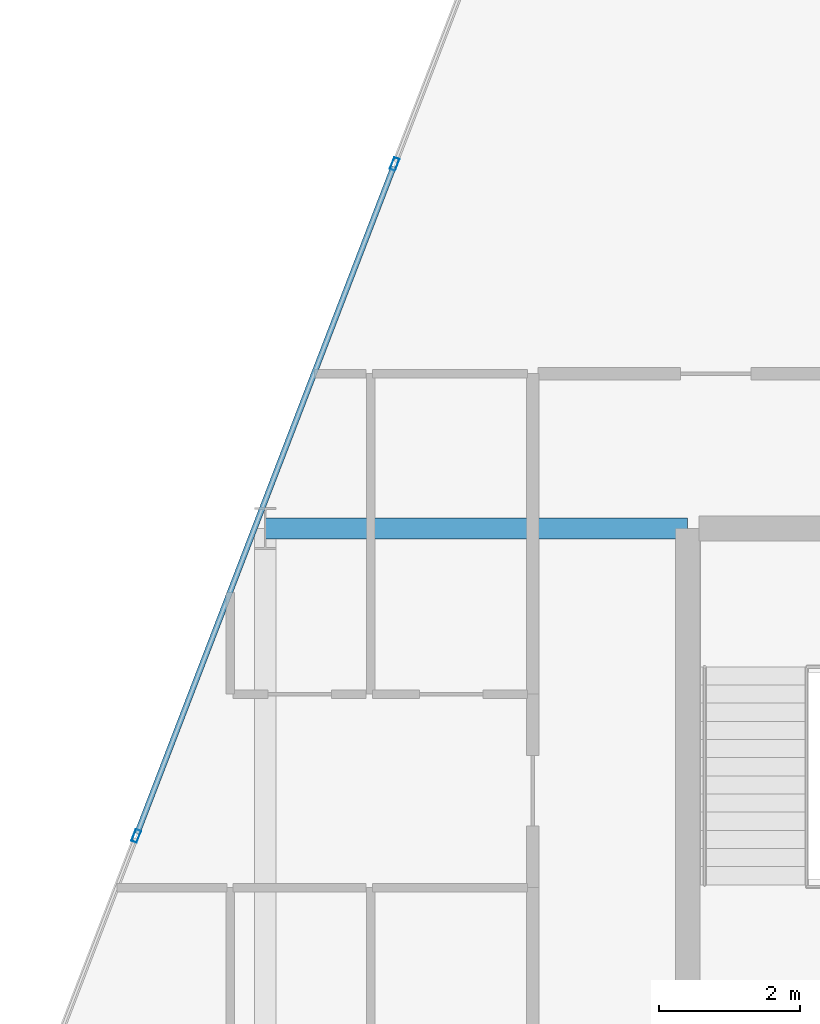
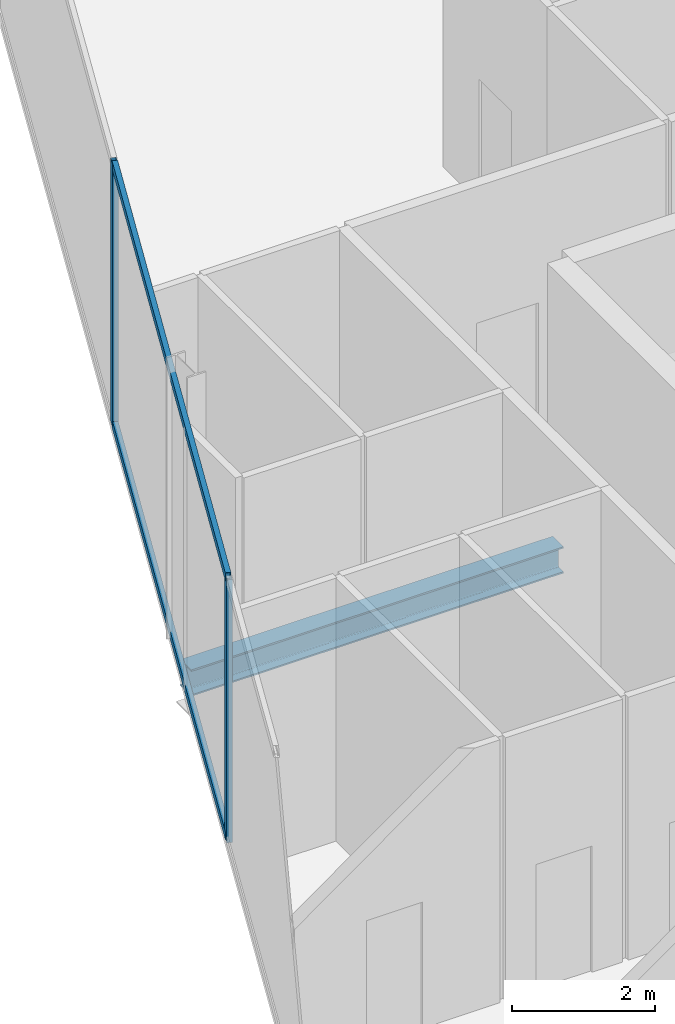
# One storey, part 14 of 29: 4 members, 1 beam, 1 element without a shape of its own.
"""IFC4 building model written with IfcOpenShell, lengths in metres."""

from ifc_helpers import new_model, si_unit, direction, frame, origin, origin_2d, place, context, subcontext, project, spatial, hollow_rectangle, i_section, extrude, material, layer, layer_set, material_profile, profile_set, type_object, element, aggregate, save


model = new_model("IFC4")

# Units and contexts
model_context = context("Model", 3, precision=1e-05, world=origin(), true_north=direction((0.0, 1.0)))
body_context = subcontext(model_context, "Body", "Model", "MODEL_VIEW")
ifc_project = project(units=[si_unit("LENGTHUNIT", "METRE"), si_unit("AREAUNIT", "SQUARE_METRE"), si_unit("VOLUMEUNIT", "CUBIC_METRE"), si_unit("PLANEANGLEUNIT", "RADIAN"), si_unit("MASSUNIT", "GRAM", prefix="KILO")], contexts=[model_context])

# Site, building, storey
site_placement = place(None, origin())
site = spatial("IfcSite", under=ifc_project, at=site_placement, CompositionType="ELEMENT")
building_placement = place(site_placement, origin())
building = spatial("IfcBuilding", under=site, at=building_placement, Name="Keshet Zoharim Tower", CompositionType="ELEMENT")
storey_placement = place(building_placement, frame((0.0, 0.0, 120.5)))
storey = spatial("IfcBuildingStorey", under=building, at=storey_placement, Name="L29", CompositionType="ELEMENT", Elevation=120.5)

# Beam
ifc_material_1 = material(Name="Steel S355", Category="steel")
ifc_material_profile_1 = material_profile(ifc_material_1, i_section(OverallWidth=0.300048828125, OverallDepth=0.449951171875, WebThickness=0.013916015625, FlangeThickness=0.02587890625, FilletRadius=0.027099609375, at=origin_2d()), Name="HEB450")
ifc_profile_set_1 = profile_set([ifc_material_profile_1], Name="Steel S355")
beam_type = type_object("IfcBeamType", Name="BM-WEB-HB450", PredefinedType="BEAM", material=ifc_profile_set_1)
beam_placement = place(storey_placement, frame((9.0, 37.89990234375, -0.544921875), z_axis=(1.0, 0.0, 0.0), x_axis=(0.0, 1.0, 0.0)))
element("IfcBeam", 1, at=beam_placement, inside=storey, type_object=beam_type, Name="L29 Primary Girder X-018", PredefinedType="BEAM", context=body_context, shape_type="SweptSolid", body=[
    extrude(i_section(OverallWidth=0.300048828125, OverallDepth=0.449951171875, WebThickness=0.013916015625, FlangeThickness=0.02587890625, FilletRadius=0.027099609375, at=origin_2d()), origin(), (0.0, 0.0, 1.0), 6.0),
])

# Curtain wall, members
ifc_material_2 = material(Name="Aluminium 6063-T6", Category="aluminium")
ifc_layer = layer(ifc_material_2, 0.14990234375)
ifc_layer_set = layer_set([ifc_layer], Name="Aluminium 6063-T6")
curtain_wall_type = type_object("IfcCurtainWallType", Name="CW-SYS-04", PredefinedType="NOTDEFINED", material=ifc_layer_set)
curtain_wall_placement = place(storey_placement, origin())
curtain_wall = element("IfcCurtainWall", 2, at=curtain_wall_placement, inside=storey, type_object=curtain_wall_type, Name="L29 Unitised Curtain Wall 10", PredefinedType="NOTDEFINED")
ifc_material_profile_2 = material_profile(ifc_material_2, hollow_rectangle(XDim=0.080078125, YDim=0.179931640625, WallThickness=0.00439453125, at=origin_2d()), Name="MUL-80x180")
ifc_profile_set_2 = profile_set([ifc_material_profile_2], Name="Aluminium 6063-T6")
member_type_1 = type_object("IfcMemberType", Name="CWM-M18", PredefinedType="MULLION", material=ifc_profile_set_2)
member_1_placement = place(storey_placement, frame((7.1669921875, 33.53466796875, 0.0), z_axis=(0.0, 0.0, 1.0), x_axis=(-0.933341404361, 0.358990003907, 0.0)))
member_1 = element("IfcMember", 3, at=member_1_placement, type_object=member_type_1, Name="CW-04 mullion 2", PredefinedType="MULLION", context=body_context, shape_type="SweptSolid", body=[
    extrude(hollow_rectangle(XDim=0.080078125, YDim=0.179931640625, WallThickness=0.00439453125, at=origin_2d()), origin(), (0.0, 0.0, 1.0), 4.47998046875),
])
member_2_placement = place(storey_placement, frame((10.8369140625, 43.076416015625, 0.0), z_axis=(0.0, 0.0, 1.0), x_axis=(-0.933341404361, 0.358990003907, 0.0)))
member_2 = element("IfcMember", 4, at=member_2_placement, type_object=member_type_1, Name="CW-04 mullion 3", PredefinedType="MULLION", context=body_context, shape_type="SweptSolid", body=[
    extrude(hollow_rectangle(XDim=0.080078125, YDim=0.179931640625, WallThickness=0.00439453125, at=origin_2d()), origin(), (0.0, 0.0, 1.0), 4.47998046875),
])
ifc_material_profile_3 = material_profile(ifc_material_2, hollow_rectangle(XDim=0.080078125, YDim=0.139892578125, WallThickness=0.00390625, at=origin_2d()), Name="TRN-80x140")
ifc_profile_set_3 = profile_set([ifc_material_profile_3], Name="Aluminium 6063-T6")
member_type_2 = type_object("IfcMemberType", Name="CWT-T14", PredefinedType="USERDEFINED", material=ifc_profile_set_3)
member_3_placement = place(storey_placement, frame((7.179443359375, 33.5673828125, 0.034912109375), z_axis=(0.359003248899, 0.933336309848, 0.0), x_axis=(-0.933336309848, 0.359003248899, 0.0)))
member_3 = element("IfcMember", 5, at=member_3_placement, type_object=member_type_2, Name="CW-04 transom 2.1", ObjectType="TRANSOM", PredefinedType="USERDEFINED", context=body_context, shape_type="SweptSolid", body=[
    extrude(hollow_rectangle(XDim=0.080078125, YDim=0.139892578125, WallThickness=0.00390625, at=origin_2d()), origin(), (0.0, 0.0, 1.0), 10.153076171875),
])
member_4_placement = place(storey_placement, frame((7.179443359375, 33.5673828125, 4.445068359375), z_axis=(0.359003248899, 0.933336309848, 0.0), x_axis=(-0.933336309848, 0.359003248899, 0.0)))
member_4 = element("IfcMember", 6, at=member_4_placement, type_object=member_type_2, Name="CW-04 transom 2.2", ObjectType="TRANSOM", PredefinedType="USERDEFINED", context=body_context, shape_type="SweptSolid", body=[
    extrude(hollow_rectangle(XDim=0.080078125, YDim=0.139892578125, WallThickness=0.00390625, at=origin_2d()), origin(), (0.0, 0.0, 1.0), 10.153076171875),
])
aggregate(curtain_wall, [member_1, member_2, member_3, member_4])

save(model, "model.ifc")
